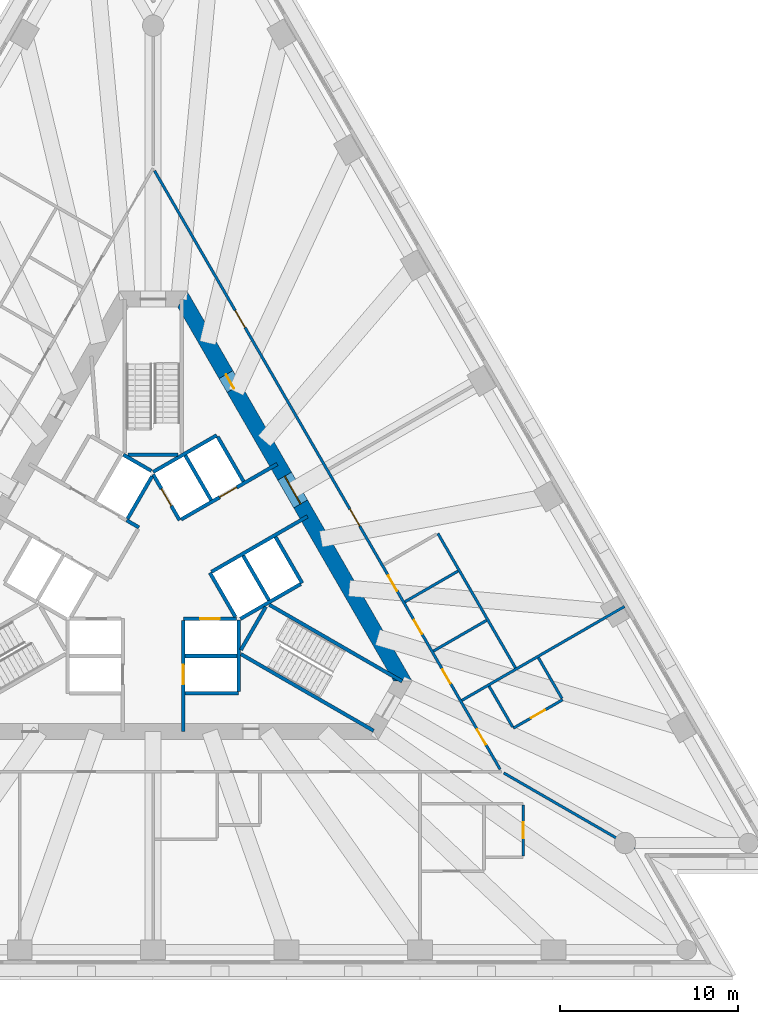
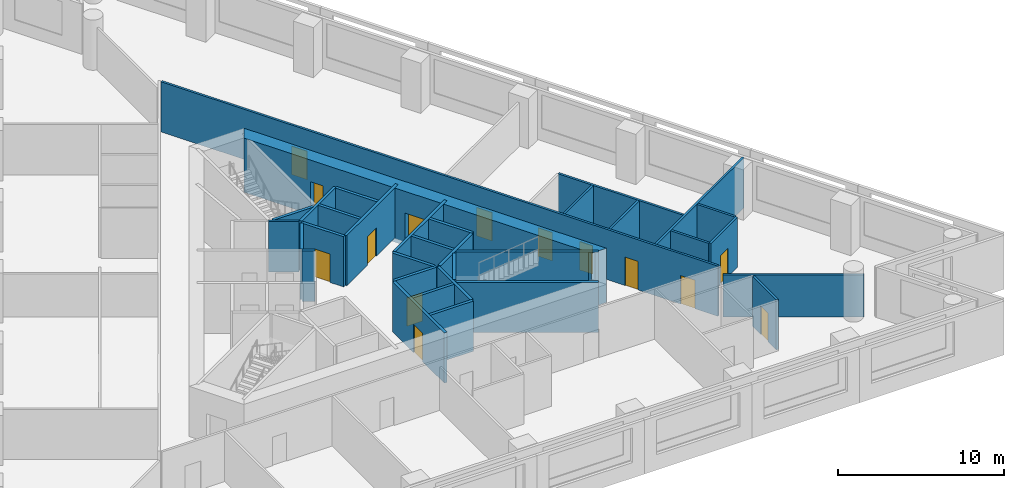
# One storey, part 5 of 9: 33 walls, 14 doors, 14 openings.
"""IFC4 building model written with IfcOpenShell, lengths in metres."""

import ifcopenshell
import ifcopenshell.guid

model = None  # the IFC model being written
_history = None  # IfcOwnerHistory: only IFC2X3 demands one
_inside = {}  # id of a spatial element -> (the spatial element, [elements in it])
_under = {}  # id of a project, library or spatial element -> (it, [spatial elements below it])
_declared = {}  # id of a project -> (the project, [libraries it declares])
_typed = {}  # id of a type object -> (the type object, [elements of that type])
_made_of = {}  # id of a material, layer set ... -> (it, [elements and type objects made of it])


def new_model(schema):
    """Start an empty IFC model of exactly this schema.

    Asked for "IFC4X3", IfcOpenShell would pick the latest addendum, in which some entities
    have other attributes; the version numbers below select the first issue.
    IFC2X3 requires an IfcOwnerHistory on every rooted entity: one is made here for all.
    """
    global model, _history
    if schema == "IFC4X3":
        model = ifcopenshell.file(schema_version=(4, 3, 0, 0))
    else:
        model = ifcopenshell.file(schema=schema)
    _inside.clear()
    _under.clear()
    _declared.clear()
    _typed.clear()
    _made_of.clear()
    _history = None
    if model.schema == "IFC2X3":
        org = make("IfcOrganization", Name="unknown")
        user = make(
            "IfcPersonAndOrganization",
            ThePerson=make("IfcPerson", FamilyName="unknown"),
            TheOrganization=org,
        )
        app = make(
            "IfcApplication",
            ApplicationDeveloper=org,
            Version="unknown",
            ApplicationFullName="unknown",
            ApplicationIdentifier="unknown",
        )
        _history = make(
            "IfcOwnerHistory",
            OwningUser=user,
            OwningApplication=app,
            ChangeAction="ADDED",
            CreationDate=0,
        )
    return model


def make(cls, **values):
    """One entity of the class cls with the attributes given. An attribute that is None is left unset."""
    return model.create_entity(
        cls, **{name: value for name, value in values.items() if value is not None}
    )


def rooted(cls, **values):
    """An entity with a GlobalId (a new one), such as an element, a storey or a relation."""
    return make(cls, GlobalId=ifcopenshell.guid.new(), OwnerHistory=_history, **values)


def si_unit(unit_type, name, prefix=None):
    """IfcSIUnit, for example si_unit("LENGTHUNIT", "METRE", prefix="MILLI")."""
    return make("IfcSIUnit", UnitType=unit_type, Prefix=prefix, Name=name)


def assignment(units):
    """IfcUnitAssignment: the units of a project."""
    return None if units is None else make("IfcUnitAssignment", Units=units)


def point(xyz):
    """IfcCartesianPoint."""
    return None if xyz is None else make("IfcCartesianPoint", Coordinates=xyz)


def direction(xyz):
    """IfcDirection."""
    return None if xyz is None else make("IfcDirection", DirectionRatios=xyz)


def frame(location, z_axis=None, x_axis=None):
    """IfcAxis2Placement3D, a coordinate frame: its origin and axes. An axis left out is left unset."""
    return make(
        "IfcAxis2Placement3D",
        Location=point(location),
        Axis=direction(z_axis),
        RefDirection=direction(x_axis),
    )


def frame_2d(location, x_axis=None):
    """IfcAxis2Placement2D, a coordinate frame in the plane: its origin and x axis."""
    return make(
        "IfcAxis2Placement2D", Location=point(location), RefDirection=direction(x_axis)
    )


def origin():
    """The frame at (0, 0, 0) with its axes left unset."""
    return frame((0.0, 0.0, 0.0))


def place(relative_to, where):
    """IfcLocalPlacement: puts the frame where relative to a parent placement (None: the world)."""
    return make(
        "IfcLocalPlacement", PlacementRelTo=relative_to, RelativePlacement=where
    )


def context(
    kind, dimensions, precision=None, world=None, true_north=None, identifier=None
):
    """IfcGeometricRepresentationContext, for example the 3D "Model" context."""
    return make(
        "IfcGeometricRepresentationContext",
        ContextIdentifier=identifier,
        ContextType=kind,
        CoordinateSpaceDimension=dimensions,
        Precision=precision,
        WorldCoordinateSystem=world,
        TrueNorth=true_north,
    )


def subcontext(parent, identifier, kind, view, scale=None):
    """IfcGeometricRepresentationSubContext, for example "Body" below "Model"."""
    return make(
        "IfcGeometricRepresentationSubContext",
        ContextIdentifier=identifier,
        ContextType=kind,
        ParentContext=parent,
        TargetScale=scale,
        TargetView=view,
    )


def project(units=None, contexts=None):
    """IfcProject with its units and contexts."""
    return rooted(
        "IfcProject",
        Name="project",
        RepresentationContexts=contexts,
        UnitsInContext=assignment(units),
    )


def spatial(cls, under=None, at=None, **own):
    """A site, building, storey or space (cls), placed at a placement, below another one or the project."""
    s = rooted(cls, ObjectPlacement=at, **own)
    if under is not None:
        _under.setdefault(under.id(), (under, []))[1].append(s)
    return s


def polyline(points):
    """IfcPolyline through the points."""
    return make("IfcPolyline", Points=[point(p) for p in points])


def profile(cls, at=None, kind="AREA", **sizes):
    """A parametric profile (cls). Its sizes go by their IFC names, for example OverallWidth=200.0."""
    return make(cls, ProfileType=kind, Position=at, **sizes)


def rectangle(**sizes):
    """IfcRectangleProfileDef."""
    return profile("IfcRectangleProfileDef", **sizes)


def outline(outer, holes=None, kind="AREA"):
    """IfcArbitraryClosedProfileDef: a profile drawn as a closed curve; with holes, ...WithVoids."""
    if holes is None:
        return make("IfcArbitraryClosedProfileDef", ProfileType=kind, OuterCurve=outer)
    return make(
        "IfcArbitraryProfileDefWithVoids",
        ProfileType=kind,
        OuterCurve=outer,
        InnerCurves=holes,
    )


def extrude(swept, where, along, depth):
    """IfcExtrudedAreaSolid: the profile swept, set in the frame where, extruded along a direction by depth."""
    return make(
        "IfcExtrudedAreaSolid",
        SweptArea=swept,
        Position=where,
        ExtrudedDirection=direction(along),
        Depth=depth,
    )


def shape(context_of_items, identifier, shape_type, items):
    """IfcShapeRepresentation: the items that make up one representation, for example the "Body"."""
    return make(
        "IfcShapeRepresentation",
        ContextOfItems=context_of_items,
        RepresentationIdentifier=identifier,
        RepresentationType=shape_type,
        Items=items,
    )


def material(Name=None, Category=None):
    """IfcMaterial."""
    return make("IfcMaterial", Name=Name, Category=Category)


def layer(
    of_material, thickness, ventilated=None, Name=None, Category=None, Priority=None
):
    """IfcMaterialLayer: one layer of a wall or slab, of a material (None: an air gap)."""
    return make(
        "IfcMaterialLayer",
        Material=of_material,
        LayerThickness=thickness,
        IsVentilated=ventilated,
        Name=Name,
        Category=Category,
        Priority=Priority,
    )


def layer_set(layers, Name=None):
    """IfcMaterialLayerSet."""
    return make("IfcMaterialLayerSet", MaterialLayers=layers, LayerSetName=Name)


def made_of(thing, what):
    """Note that an element or type object is made of a material, layer set ...; save() writes the relation."""
    if what is not None:
        _made_of.setdefault(what.id(), (what, []))[1].append(thing)
    return thing


def type_object(cls, material=None, **own):
    """A type object (cls), such as IfcWallType, which elements share."""
    return made_of(rooted(cls, **own), material)


def element(
    cls,
    number,
    at=None,
    inside=None,
    cuts=None,
    type_object=None,
    material=None,
    context=None,
    identifier="Body",
    shape_type=None,
    held_by="IfcProductDefinitionShape",
    body=None,
    shapes=None,
    **own,
):
    """One element of the class cls, such as IfcWall. Its Tag is "e" and its number.

    at: its placement. inside: the storey or other place that contains it. cuts: it is an
    opening in that element (IfcRelVoidsElement). A single representation is given by context,
    identifier, shape_type and body (its items); several are given by shapes. held_by: the class
    of the entity that holds the representations. save() writes the other relations.
    """
    e = rooted(cls, Tag="e%d" % number, ObjectPlacement=at, **own)
    if body is not None:
        shapes = [shape(context, identifier, shape_type, body)]
    if shapes is not None:
        e.Representation = make(held_by, Representations=shapes)
    if inside is not None:
        _inside.setdefault(inside.id(), (inside, []))[1].append(e)
    if cuts is not None:
        rooted(
            "IfcRelVoidsElement", RelatingBuildingElement=cuts, RelatedOpeningElement=e
        )
    if type_object is not None:
        _typed.setdefault(type_object.id(), (type_object, []))[1].append(e)
    return made_of(e, material)


def fill(opening, filler):
    """IfcRelFillsElement: the door or window that sits in an opening."""
    return rooted(
        "IfcRelFillsElement",
        RelatingOpeningElement=opening,
        RelatedBuildingElement=filler,
    )


def aggregate(whole, parts):
    """IfcRelAggregates: a whole, such as a stair, and the parts it consists of."""
    return rooted("IfcRelAggregates", RelatingObject=whole, RelatedObjects=parts)


def save(model, path):
    """Write the relations noted so far, then the file.

    IfcRelAggregates (storeys below a building ...), IfcRelContainedInSpatialStructure (elements
    in a storey), IfcRelDefinesByType, IfcRelAssociatesMaterial and IfcRelDeclares: one each for
    every whole, place, type object, material and project.
    """
    for whole, parts in _under.values():
        aggregate(whole, parts)
    for where, things in _inside.values():
        rooted(
            "IfcRelContainedInSpatialStructure",
            RelatedElements=things,
            RelatingStructure=where,
        )
    for kind, things in _typed.values():
        rooted("IfcRelDefinesByType", RelatedObjects=things, RelatingType=kind)
    for what, things in _made_of.values():
        rooted("IfcRelAssociatesMaterial", RelatedObjects=things, RelatingMaterial=what)
    for by, libraries in _declared.values():
        rooted("IfcRelDeclares", RelatingContext=by, RelatedDefinitions=libraries)
    model.write(path)


model = new_model("IFC4")

# Units and contexts
model_context = context("Model", 3, precision=1e-05, world=origin(), true_north=direction((0.0, 1.0)))
body_context = subcontext(model_context, "Body", "Model", "MODEL_VIEW")
ifc_project = project(units=[si_unit("LENGTHUNIT", "METRE"), si_unit("AREAUNIT", "SQUARE_METRE"), si_unit("VOLUMEUNIT", "CUBIC_METRE"), si_unit("PLANEANGLEUNIT", "RADIAN"), si_unit("MASSUNIT", "GRAM", prefix="KILO")], contexts=[model_context])

# Site, building, storey
site_placement = place(None, origin())
site = spatial("IfcSite", under=ifc_project, at=site_placement, CompositionType="ELEMENT")
building_placement = place(site_placement, origin())
building = spatial("IfcBuilding", under=site, at=building_placement, Name="Triada Interchange Tower", CompositionType="ELEMENT")
storey_placement = place(building_placement, frame((0.0, 0.0, 51.300048828125)))
storey = spatial("IfcBuildingStorey", under=building, at=storey_placement, Name="L10", CompositionType="ELEMENT", Elevation=51.300048828125)

# Walls
ifc_material_1 = material(Name="Concrete C30/37", Category="concrete")
ifc_layer_1 = layer(ifc_material_1, 0.199951171875)
ifc_layer_set_1 = layer_set([ifc_layer_1], Name="CORE WALL 200 EI 120")
wall_type_1 = type_object("IfcWallType", Name="CORE WALL 200 EI 120", PredefinedType="SOLIDWALL", material=ifc_layer_set_1)
wall_1_placement = place(storey_placement, frame((1.800048828125, -4.800048828125, 0.0), z_axis=(0.0, 0.0, 1.0), x_axis=(1.0, 0.0, 0.0)))
element("IfcWall", 1, at=wall_1_placement, inside=storey, type_object=wall_type_1, Name="Wall L09 40", PredefinedType="SOLIDWALL", context=body_context, shape_type="SweptSolid", body=[
    extrude(rectangle(XDim=2.89990234375, YDim=0.199951171875, at=frame_2d((1.449951171875, 0.0))), origin(), (0.0, 0.0, 1.0), 3.699951171875),
])
wall_2_placement = place(storey_placement, frame((1.800048828125, -6.89990234375, 0.0), z_axis=(0.0, 0.0, 1.0), x_axis=(1.0, 0.0, 0.0)))
element("IfcWall", 2, at=wall_2_placement, inside=storey, type_object=wall_type_1, Name="Wall L09 43", PredefinedType="SOLIDWALL", context=body_context, shape_type="SweptSolid", body=[
    extrude(rectangle(XDim=3.0, YDim=0.199951171875, at=frame_2d((1.5, 0.0))), origin(), (0.0, 0.0, 1.0), 3.699951171875),
])

# Wall, opening, door
wall_3_placement = place(storey_placement, frame((1.702880859375, -2.699951171875, 0.0), z_axis=(0.0, 0.0, 1.0), x_axis=(1.0, 0.0, 0.0)))
wall_3 = element("IfcWall", 3, at=wall_3_placement, inside=storey, type_object=wall_type_1, Name="Wall L09 46", PredefinedType="SOLIDWALL", context=body_context, shape_type="SweptSolid", body=[
    extrude(rectangle(XDim=2.97314453125, YDim=0.199951171875, at=frame_2d((1.486572265625, 0.0))), origin(), (0.0, 0.0, 1.0), 3.699951171875),
])
opening_1_placement = place(wall_3_placement, frame((0.93603515625, 0.0, 0.0)))
opening_1 = element("IfcOpeningElement", 4, at=opening_1_placement, cuts=wall_3, Name="Opening LD-LR1", PredefinedType="OPENING", context=body_context, shape_type="SweptSolid", body=[
    extrude(rectangle(XDim=1.10009765625, YDim=2.10009765625, at=frame_2d((0.550048828125, 1.050048828125))), frame((0.0, 0.10986328125, 0.0), z_axis=(0.0, -1.0, 0.0), x_axis=(1.0, 0.0, 0.0)), (0.0, 0.0, 1.0), 0.219970703125),
])
ifc_material_2 = material(Name="Steel S235 door leaf", Category="steel")
door_type_1 = type_object("IfcDoorType", Name="LIFT LANDING DOOR 1100 EI 120", OperationType="SLIDING_TO_LEFT", PredefinedType="DOOR", material=ifc_material_2)
door_1_placement = place(opening_1_placement, origin())
door_1 = element("IfcDoor", 5, at=door_1_placement, inside=storey, type_object=door_type_1, Name="LR1 landing door L10", OperationType="SLIDING_TO_LEFT", OverallHeight=2.10009765625, OverallWidth=1.10009765625, PredefinedType="DOOR", context=body_context, shape_type="SweptSolid", body=[
    extrude(rectangle(XDim=1.10009765625, YDim=2.10009765625, at=frame_2d((0.550048828125, 1.050048828125))), frame((0.0, 0.02490234375, 0.0), z_axis=(0.0, -1.0, 0.0), x_axis=(1.0, 0.0, 0.0)), (0.0, 0.0, 1.0), 0.050048828125),
])
fill(opening_1, door_1)

# Wall
wall_4_placement = place(storey_placement, frame((-0.001953125, 5.541015625, 0.0), z_axis=(0.0, 0.0, 1.0), x_axis=(0.86600155993, 0.500041296494, 0.0)))
element("IfcWall", 6, at=wall_4_placement, inside=storey, type_object=wall_type_1, Name="Wall L09 47", PredefinedType="SOLIDWALL", context=body_context, shape_type="SweptSolid", body=[
    extrude(rectangle(XDim=4.131591796875, YDim=0.199951171875, at=frame_2d((2.06591796875, 0.0))), origin(), (0.0, 0.0, 1.0), 3.699951171875),
])

# Wall, opening, door
wall_5_placement = place(storey_placement, frame((0.0, 5.39990234375, 0.0), z_axis=(0.0, 0.0, 1.0), x_axis=(0.500103862429, -0.865965430478, 0.0)))
wall_5 = element("IfcWall", 7, at=wall_5_placement, inside=storey, type_object=wall_type_1, Name="Wall L09 48", PredefinedType="SOLIDWALL", context=body_context, shape_type="SweptSolid", body=[
    extrude(rectangle(XDim=2.973388671875, YDim=0.199951171875, at=frame_2d((1.48681640625, 0.0))), origin(), (0.0, 0.0, 1.0), 3.699951171875),
])
opening_2_placement = place(wall_5_placement, frame((0.93701171875, 0.0, 0.0)))
opening_2 = element("IfcOpeningElement", 8, at=opening_2_placement, cuts=wall_5, Name="Opening LD-LR5", PredefinedType="OPENING", context=body_context, shape_type="SweptSolid", body=[
    extrude(rectangle(XDim=1.10009765625, YDim=2.10009765625, at=frame_2d((0.550048828125, 1.050048828125))), frame((0.0, 0.10986328125, 0.0), z_axis=(0.0, -1.0, 0.0), x_axis=(1.0, 0.0, 0.0)), (0.0, 0.0, 1.0), 0.219970703125),
])
door_2_placement = place(opening_2_placement, origin())
door_2 = element("IfcDoor", 9, at=door_2_placement, inside=storey, type_object=door_type_1, Name="LR5 landing door L10", OperationType="SLIDING_TO_LEFT", OverallHeight=2.10009765625, OverallWidth=1.10009765625, PredefinedType="DOOR", context=body_context, shape_type="SweptSolid", body=[
    extrude(rectangle(XDim=1.10009765625, YDim=2.10009765625, at=frame_2d((0.550048828125, 1.050048828125))), frame((0.0, 0.02490234375, 0.0), z_axis=(0.0, -1.0, 0.0), x_axis=(1.0, 0.0, 0.0)), (0.0, 0.0, 1.0), 0.050048828125),
])
fill(opening_2, door_2)

# Wall
wall_6_placement = place(storey_placement, frame((3.18994140625, -0.125, 0.0), z_axis=(0.0, 0.0, 1.0), x_axis=(0.499988658015, -0.866031951983, 0.0)))
element("IfcWall", 10, at=wall_6_placement, inside=storey, type_object=wall_type_1, Name="Wall L09 49", PredefinedType="SOLIDWALL", context=body_context, shape_type="SweptSolid", body=[
    extrude(rectangle(XDim=2.85791015625, YDim=0.199951171875, at=frame_2d((1.428955078125, 0.0))), origin(), (0.0, 0.0, 1.0), 3.699951171875),
])

# Wall, opening, door
wall_7_placement = place(storey_placement, frame((1.577880859375, 2.8740234375, 0.0), z_axis=(0.0, 0.0, 1.0), x_axis=(0.866031483044, 0.499989470266, 0.0)))
wall_7 = element("IfcWall", 11, at=wall_7_placement, inside=storey, type_object=wall_type_1, Name="Wall L09 50", PredefinedType="SOLIDWALL", context=body_context, shape_type="SweptSolid", body=[
    extrude(rectangle(XDim=6.226318359375, YDim=0.199951171875, at=frame_2d((3.11328125, 0.0))), origin(), (0.0, 0.0, 1.0), 3.699951171875),
])
opening_3_placement = place(wall_7_placement, frame((2.49609375, 0.0, 0.0)))
opening_3 = element("IfcOpeningElement", 12, at=opening_3_placement, cuts=wall_7, Name="Opening LD-LR6", PredefinedType="OPENING", context=body_context, shape_type="SweptSolid", body=[
    extrude(rectangle(XDim=1.10009765625, YDim=2.10009765625, at=frame_2d((0.550048828125, 1.050048828125))), frame((0.0, 0.10986328125, 0.0), z_axis=(0.0, -1.0, 0.0), x_axis=(1.0, 0.0, 0.0)), (0.0, 0.0, 1.0), 0.219970703125),
])
door_3_placement = place(opening_3_placement, origin())
door_3 = element("IfcDoor", 13, at=door_3_placement, inside=storey, type_object=door_type_1, Name="LR6 landing door L10", OperationType="SLIDING_TO_LEFT", OverallHeight=2.10009765625, OverallWidth=1.10009765625, PredefinedType="DOOR", context=body_context, shape_type="SweptSolid", body=[
    extrude(rectangle(XDim=1.10009765625, YDim=2.10009765625, at=frame_2d((0.550048828125, 1.050048828125))), frame((0.0, 0.02490234375, 0.0), z_axis=(0.0, -1.0, 0.0), x_axis=(1.0, 0.0, 0.0)), (0.0, 0.0, 1.0), 0.050048828125),
])
fill(opening_3, door_3)

wall_8_placement = place(storey_placement, frame((1.699951171875, -9.030029296875, 0.0), z_axis=(0.0, 0.0, 1.0), x_axis=(0.0, 1.0, 0.0)))
wall_8 = element("IfcWall", 14, at=wall_8_placement, inside=storey, type_object=wall_type_1, Name="Wall L09 51", PredefinedType="SOLIDWALL", context=body_context, shape_type="SweptSolid", body=[
    extrude(rectangle(XDim=6.22705078125, YDim=0.199951171875, at=frame_2d((3.113525390625, 0.0))), origin(), (0.0, 0.0, 1.0), 3.699951171875),
])
opening_4_placement = place(wall_8_placement, frame((2.6298828125, 0.0, 0.0)))
opening_4 = element("IfcOpeningElement", 15, at=opening_4_placement, cuts=wall_8, Name="Opening LD-LR2", PredefinedType="OPENING", context=body_context, shape_type="SweptSolid", body=[
    extrude(rectangle(XDim=1.10009765625, YDim=2.10009765625, at=frame_2d((0.550048828125, 1.050048828125))), frame((0.0, 0.10986328125, 0.0), z_axis=(0.0, -1.0, 0.0), x_axis=(1.0, 0.0, 0.0)), (0.0, 0.0, 1.0), 0.219970703125),
])
door_4_placement = place(opening_4_placement, origin())
door_4 = element("IfcDoor", 16, at=door_4_placement, inside=storey, type_object=door_type_1, Name="LR2 landing door L10", OperationType="SLIDING_TO_LEFT", OverallHeight=2.10009765625, OverallWidth=1.10009765625, PredefinedType="DOOR", context=body_context, shape_type="SweptSolid", body=[
    extrude(rectangle(XDim=1.10009765625, YDim=2.10009765625, at=frame_2d((0.550048828125, 1.050048828125))), frame((0.0, 0.02490234375, 0.0), z_axis=(0.0, -1.0, 0.0), x_axis=(1.0, 0.0, 0.0)), (0.0, 0.0, 1.0), 0.050048828125),
])
fill(opening_4, door_4)

# Walls
wall_9_placement = place(storey_placement, frame((4.800048828125, -6.800048828125, 0.0), z_axis=(0.0, 0.0, 1.0), x_axis=(0.0, 1.0, 0.0)))
element("IfcWall", 17, at=wall_9_placement, inside=storey, type_object=wall_type_1, Name="Wall L09 52", PredefinedType="SOLIDWALL", context=body_context, shape_type="SweptSolid", body=[
    extrude(rectangle(XDim=4.029052734375, YDim=0.199951171875, at=frame_2d((2.0146484375, 0.0))), origin(), (0.0, 0.0, 1.0), 3.699951171875),
])
wall_10_placement = place(storey_placement, frame((3.278076171875, -0.071044921875, 0.0), z_axis=(0.0, 0.0, 1.0), x_axis=(0.865953757655, 0.500124074208, 0.0)))
element("IfcWall", 18, at=wall_10_placement, inside=storey, type_object=wall_type_1, Name="Wall L09 53", PredefinedType="SOLIDWALL", context=body_context, shape_type="SweptSolid", body=[
    extrude(rectangle(XDim=6.2265625, YDim=0.199951171875, at=frame_2d((3.11328125, 0.0))), origin(), (0.0, 0.0, 1.0), 3.699951171875),
])
wall_11_placement = place(storey_placement, frame((3.6259765625, 7.52001953125, 0.0), z_axis=(0.0, 0.0, 1.0), x_axis=(0.500060147554, -0.865990674793, 0.0)))
element("IfcWall", 19, at=wall_11_placement, inside=storey, type_object=wall_type_1, Name="Wall L09 54", PredefinedType="SOLIDWALL", context=body_context, shape_type="SweptSolid", body=[
    extrude(rectangle(XDim=2.899658203125, YDim=0.199951171875, at=frame_2d((1.44970703125, 0.0))), origin(), (0.0, 0.0, 1.0), 3.699951171875),
])
wall_12_placement = place(storey_placement, frame((6.8759765625, 1.89111328125, 0.0), z_axis=(0.0, 0.0, 1.0), x_axis=(0.499990139034, -0.866031096941, 0.0)))
element("IfcWall", 20, at=wall_12_placement, inside=storey, type_object=wall_type_1, Name="Wall L09 55", PredefinedType="SOLIDWALL", context=body_context, shape_type="SweptSolid", body=[
    extrude(rectangle(XDim=3.0, YDim=0.199951171875, at=frame_2d((1.5, 0.0))), origin(), (0.0, 0.0, 1.0), 3.699951171875),
])
for number, where, z_axis, x_axis, name in (
    (21, (1.806884765625, 6.469970703125, 0.0), (0.0, 0.0, 1.0), (0.50012328804, -0.865954211699, 0.0), "Wall L09 56"),
    (22, (5.056884765625, 0.841064453125, 0.0), (0.0, 0.0, 1.0), (0.50012328804, -0.865954211699, 0.0), "Wall L09 57"),
):
    element("IfcWall", number, at=place(storey_placement, frame(where, z_axis=z_axis, x_axis=x_axis)), inside=storey, type_object=wall_type_1, Name=name, PredefinedType="SOLIDWALL", context=body_context, shape_type="SweptSolid", body=[
        extrude(rectangle(XDim=2.899658203125, YDim=0.199951171875, at=frame_2d((1.44970703125, 0.0))), origin(), (0.0, 0.0, 1.0), 3.699951171875),
    ])
wall_13_placement = place(storey_placement, frame((4.89990234375, -2.714111328125, 0.0), z_axis=(0.0, 0.0, 1.0), x_axis=(0.865992350556, 0.500057245502, 0.0)))
element("IfcWall", 23, at=wall_13_placement, inside=storey, type_object=wall_type_1, Name="Wall L09 58", PredefinedType="SOLIDWALL", context=body_context, shape_type="SweptSolid", body=[
    extrude(rectangle(XDim=3.91357421875, YDim=0.199951171875, at=frame_2d((1.956787109375, 0.0))), origin(), (0.0, 0.0, 1.0), 3.699951171875),
])
ifc_layer_2 = layer(ifc_material_1, 0.199951171875)
ifc_layer_set_2 = layer_set([ifc_layer_2], Name="CORE WALL 200 EI 180")
wall_type_2 = type_object("IfcWallType", Name="CORE WALL 200 EI 180", PredefinedType="SOLIDWALL", material=ifc_layer_set_2)
wall_14_placement = place(storey_placement, frame((-1.488037109375, 2.822021484375, 0.0), z_axis=(0.0, 0.0, 1.0), x_axis=(0.866236612152, -0.499633997809, 0.0)))
element("IfcWall", 24, at=wall_14_placement, inside=storey, type_object=wall_type_2, Name="Wall L09 62", PredefinedType="SOLIDWALL", context=body_context, shape_type="SweptSolid", body=[
    extrude(rectangle(XDim=0.79638671875, YDim=0.199951171875, at=frame_2d((0.398193359375, 0.0))), origin(), (0.0, 0.0, 1.0), 3.699951171875),
])
wall_15_placement = place(storey_placement, frame((-1.669921875, 6.507080078125, 0.0), z_axis=(0.0, 0.0, 1.0), x_axis=(0.865941441609, -0.500145398563, 0.0)))
element("IfcWall", 25, at=wall_15_placement, inside=storey, type_object=wall_type_2, Name="Shaft wall FF2 L09 72", PredefinedType="SOLIDWALL", context=body_context, shape_type="SweptSolid", body=[
    extrude(rectangle(XDim=1.8154296875, YDim=0.199951171875, at=frame_2d((0.90771484375, 0.0))), origin(), (0.0, 0.0, 1.0), 3.699951171875),
])
wall_16_placement = place(storey_placement, frame((-1.43798828125, 2.908935546875, 0.0), z_axis=(0.0, 0.0, 1.0), x_axis=(0.499829630636, 0.866123744241, 0.0)))
element("IfcWall", 26, at=wall_16_placement, inside=storey, type_object=wall_type_2, Name="Shaft wall FF2 L09 73", PredefinedType="SOLIDWALL", context=body_context, shape_type="SweptSolid", body=[
    extrude(rectangle(XDim=2.7607421875, YDim=0.199951171875, at=frame_2d((1.38037109375, 0.0))), origin(), (0.0, 0.0, 1.0), 3.699951171875),
])
ifc_layer_3 = layer(ifc_material_1, 0.199951171875)
ifc_layer_set_3 = layer_set([ifc_layer_3], Name="CORE WALL 200 REI 240")
wall_type_3 = type_object("IfcWallType", Name="CORE WALL 200 REI 240", PredefinedType="SOLIDWALL", material=ifc_layer_set_3)
wall_17_placement = place(storey_placement, frame((-1.39990234375, 6.5, 0.0), z_axis=(0.0, 0.0, 1.0), x_axis=(1.0, 0.0, 0.0)))
element("IfcWall", 27, at=wall_17_placement, inside=storey, type_object=wall_type_3, Name="Wall L09 79", PredefinedType="SOLIDWALL", context=body_context, shape_type="SweptSolid", body=[
    extrude(rectangle(XDim=2.7998046875, YDim=0.199951171875, at=frame_2d((1.39990234375, 0.0))), origin(), (0.0, 0.0, 1.0), 3.699951171875),
])
wall_18_placement = place(storey_placement, frame((4.928955078125, -4.693115234375, 0.0), z_axis=(0.0, 0.0, 1.0), x_axis=(0.866010975815, -0.500024989144, 0.0)))
element("IfcWall", 28, at=wall_18_placement, inside=storey, type_object=wall_type_3, Name="Wall L09 81", PredefinedType="SOLIDWALL", context=body_context, shape_type="SweptSolid", body=[
    extrude(rectangle(XDim=8.615234375, YDim=0.199951171875, at=frame_2d((4.3076171875, 0.0))), origin(), (0.0, 0.0, 1.0), 3.699951171875),
])
wall_19_placement = place(storey_placement, frame((4.928955078125, -4.4619140625, 0.0), z_axis=(0.0, 0.0, 1.0), x_axis=(0.500200581029, 0.865909567298, 0.0)))
element("IfcWall", 29, at=wall_19_placement, inside=storey, type_object=wall_type_3, Name="Wall L09 82", PredefinedType="SOLIDWALL", context=body_context, shape_type="SweptSolid", body=[
    extrude(rectangle(XDim=2.799072265625, YDim=0.199951171875, at=frame_2d((1.3994140625, 0.0))), origin(), (0.0, 0.0, 1.0), 3.699951171875),
])
wall_20_placement = place(storey_placement, frame((6.529052734375, -1.922119140625, 0.0), z_axis=(0.0, 0.0, 1.0), x_axis=(0.866060059011, -0.499939970583, 0.0)))
element("IfcWall", 30, at=wall_20_placement, inside=storey, type_object=wall_type_3, Name="Wall L09 83", PredefinedType="SOLIDWALL", context=body_context, shape_type="SweptSolid", body=[
    extrude(rectangle(XDim=8.61474609375, YDim=0.199951171875, at=frame_2d((4.307373046875, 0.0))), origin(), (0.0, 0.0, 1.0), 3.699951171875),
])

# Wall, openings, doors
ifc_material_3 = material(Name="Concrete C70/85", Category="concrete")
ifc_layer_4 = layer(ifc_material_3, 0.89990234375)
ifc_layer_set_4 = layer_set([ifc_layer_4], Name="Core wall A 900")
wall_type_4 = type_object("IfcWallType", Name="Core wall A 900", PredefinedType="SHEAR", material=ifc_layer_set_4)
wall_21_placement = place(storey_placement, frame((14.030029296875, -6.199951171875, -0.300048828125), z_axis=(0.0, 0.0, 1.0), x_axis=(-0.500026485275, 0.866010111964, 0.0)))
wall_21 = element("IfcWall", 31, at=wall_21_placement, inside=storey, type_object=wall_type_4, Name="Core wall WA06 L10", PredefinedType="SHEAR", context=body_context, shape_type="SweptSolid", body=[
    extrude(outline(polyline([(-0.260009765625, -0.448974609375), (1.685302734375, -0.448974609375), (3.63037109375, -0.44921875), (5.57568359375, -0.44921875), (7.52099609375, -0.44921875), (9.466064453125, -0.449462890625), (11.411376953125, -0.449462890625), (13.356689453125, -0.449462890625), (15.302001953125, -0.449462890625), (17.2470703125, -0.44970703125), (19.1923828125, -0.44970703125), (21.1376953125, -0.44970703125), (23.082763671875, -0.449951171875), (25.028076171875, -0.449951171875), (24.509033203125, 0.448974609375), (22.643798828125, 0.448974609375), (20.7783203125, 0.44921875), (18.9130859375, 0.44921875), (17.0478515625, 0.44921875), (15.182373046875, 0.449462890625), (13.317138671875, 0.449462890625), (11.451904296875, 0.449462890625), (9.586669921875, 0.449462890625), (7.72119140625, 0.44970703125), (5.85595703125, 0.44970703125), (3.99072265625, 0.44970703125), (2.125244140625, 0.449951171875), (0.260009765625, 0.449951171875), (-0.260009765625, -0.448974609375)])), origin(), (0.0, 0.0, 1.0), 4.0),
])
opening_5_placement = place(wall_21_placement, frame((11.48388671875, 0.0, 0.300048828125)))
opening_5 = element("IfcOpeningElement", 32, at=opening_5_placement, cuts=wall_21, Name="Opening D09-35", PredefinedType="OPENING", context=body_context, shape_type="SweptSolid", body=[
    extrude(rectangle(XDim=1.800048828125, YDim=2.10009765625, at=frame_2d((0.89990234375, 1.050048828125))), frame((0.0, 0.4599609375, 0.0), z_axis=(0.0, -1.0, 0.0), x_axis=(1.0, 0.0, 0.0)), (0.0, 0.0, 1.0), 0.919921875),
])
opening_6_placement = place(wall_21_placement, frame((18.97607421875, 0.0, 0.300048828125)))
opening_6 = element("IfcOpeningElement", 33, at=opening_6_placement, cuts=wall_21, Name="Opening D09-43", PredefinedType="OPENING", context=body_context, shape_type="SweptSolid", body=[
    extrude(rectangle(XDim=0.89990234375, YDim=2.10009765625, at=frame_2d((0.449951171875, 1.050048828125))), frame((0.0, 0.4599609375, 0.0), z_axis=(0.0, -1.0, 0.0), x_axis=(1.0, 0.0, 0.0)), (0.0, 0.0, 1.0), 0.919921875),
])
door_type_2 = type_object("IfcDoorType", Name="LOBBY DOOR 1800 EI2 90-C5S200", OperationType="DOUBLE_DOOR_SINGLE_SWING", PredefinedType="DOOR", material=ifc_material_2)
door_5_placement = place(opening_5_placement, origin())
door_5 = element("IfcDoor", 34, at=door_5_placement, inside=storey, type_object=door_type_2, Name="Door D09-35 L10", OperationType="DOUBLE_DOOR_SINGLE_SWING", OverallHeight=2.10009765625, OverallWidth=1.800048828125, PredefinedType="DOOR", context=body_context, shape_type="SweptSolid", body=[
    extrude(rectangle(XDim=1.800048828125, YDim=2.10009765625, at=frame_2d((0.89990234375, 1.050048828125))), frame((0.0, 0.02490234375, 0.0), z_axis=(0.0, -1.0, 0.0), x_axis=(1.0, 0.0, 0.0)), (0.0, 0.0, 1.0), 0.050048828125),
])
fill(opening_5, door_5)
door_type_3 = type_object("IfcDoorType", Name="RISER ACCESS DOOR 900 EI2 45-C5S200", OperationType="NOTDEFINED", PredefinedType="DOOR", material=ifc_material_2)
door_6_placement = place(opening_6_placement, origin())
door_6 = element("IfcDoor", 35, at=door_6_placement, inside=storey, type_object=door_type_3, Name="Door D09-43 L10", OperationType="SINGLE_SWING_LEFT", OverallHeight=2.10009765625, OverallWidth=0.89990234375, PredefinedType="DOOR", context=body_context, shape_type="SweptSolid", body=[
    extrude(rectangle(XDim=0.89990234375, YDim=2.10009765625, at=frame_2d((0.449951171875, 1.050048828125))), frame((0.0, 0.02490234375, 0.0), z_axis=(0.0, -1.0, 0.0), x_axis=(1.0, 0.0, 0.0)), (0.0, 0.0, 1.0), 0.050048828125),
])
fill(opening_6, door_6)

# Wall
ifc_material_4 = material(Name="Gypsum board partition")
ifc_layer_5 = layer(ifc_material_4, 0.14990234375)
ifc_layer_set_5 = layer_set([ifc_layer_5], Name="PARTITION 150 EI 180")
wall_type_5 = type_object("IfcWallType", Name="PARTITION 150 EI 180", PredefinedType="PARTITIONING", material=ifc_layer_set_5)
wall_22_placement = place(storey_placement, frame((19.701904296875, -11.3740234375, 0.0), z_axis=(0.0, 0.0, 1.0), x_axis=(0.865962467537, -0.500108992938, 0.0)))
element("IfcWall", 36, at=wall_22_placement, inside=storey, type_object=wall_type_5, Name="Wall L09 7", PredefinedType="PARTITIONING", context=body_context, shape_type="SweptSolid", body=[
    extrude(rectangle(XDim=8.4921875, YDim=0.14990234375, at=frame_2d((4.24609375, 0.0))), origin(), (0.0, 0.0, 1.0), 3.099853515625),
])

# Wall, openings, doors
wall_23_placement = place(storey_placement, frame((0.074951171875, 22.469970703125, 0.0), z_axis=(0.0, 0.0, 1.0), x_axis=(0.500002280369, -0.866024087209, 0.0)))
wall_23 = element("IfcWall", 37, at=wall_23_placement, inside=storey, type_object=wall_type_5, Name="Wall L09 19", PredefinedType="PARTITIONING", context=body_context, shape_type="SweptSolid", body=[
    extrude(rectangle(XDim=38.843994140625, YDim=0.14990234375, at=frame_2d((19.421875, 0.0))), origin(), (0.0, 0.0, 1.0), 3.699951171875),
])
opening_7_placement = place(wall_23_placement, frame((36.243896484375, 0.0, 0.0)))
opening_7 = element("IfcOpeningElement", 38, at=opening_7_placement, cuts=wall_23, Name="Opening D09-20", PredefinedType="OPENING", context=body_context, shape_type="SweptSolid", body=[
    extrude(rectangle(XDim=1.0, YDim=2.10009765625, at=frame_2d((0.5, 1.050048828125))), frame((0.0, 0.0849609375, 0.0), z_axis=(0.0, -1.0, 0.0), x_axis=(1.0, 0.0, 0.0)), (0.0, 0.0, 1.0), 0.169921875),
])
opening_8_placement = place(wall_23_placement, frame((21.962890625, 0.0, 0.0)))
opening_8 = element("IfcOpeningElement", 39, at=opening_8_placement, cuts=wall_23, Name="Opening D09-22", PredefinedType="OPENING", context=body_context, shape_type="SweptSolid", body=[
    extrude(rectangle(XDim=1.10009765625, YDim=2.10009765625, at=frame_2d((0.550048828125, 1.050048828125))), frame((0.0, 0.0849609375, 0.0), z_axis=(0.0, -1.0, 0.0), x_axis=(1.0, 0.0, 0.0)), (0.0, 0.0, 1.0), 0.169921875),
])
opening_9_placement = place(wall_23_placement, frame((32.363037109375, 0.0, 0.0)))
opening_9 = element("IfcOpeningElement", 40, at=opening_9_placement, cuts=wall_23, Name="Opening D09-23", PredefinedType="OPENING", context=body_context, shape_type="SweptSolid", body=[
    extrude(rectangle(XDim=0.89990234375, YDim=2.10009765625, at=frame_2d((0.449951171875, 1.050048828125))), frame((0.0, 0.0849609375, 0.0), z_axis=(0.0, -1.0, 0.0), x_axis=(1.0, 0.0, 0.0)), (0.0, 0.0, 1.0), 0.169921875),
])
opening_10_placement = place(wall_23_placement, frame((29.1630859375, 0.0, 0.0)))
opening_10 = element("IfcOpeningElement", 41, at=opening_10_placement, cuts=wall_23, Name="Opening D09-24", PredefinedType="OPENING", context=body_context, shape_type="SweptSolid", body=[
    extrude(rectangle(XDim=0.89990234375, YDim=2.10009765625, at=frame_2d((0.449951171875, 1.050048828125))), frame((0.0, 0.0849609375, 0.0), z_axis=(0.0, -1.0, 0.0), x_axis=(1.0, 0.0, 0.0)), (0.0, 0.0, 1.0), 0.169921875),
])
opening_11_placement = place(wall_23_placement, frame((26.262939453125, 0.0, 0.0)))
opening_11 = element("IfcOpeningElement", 42, at=opening_11_placement, cuts=wall_23, Name="Opening D09-25", PredefinedType="OPENING", context=body_context, shape_type="SweptSolid", body=[
    extrude(rectangle(XDim=1.0, YDim=2.10009765625, at=frame_2d((0.5, 1.050048828125))), frame((0.0, 0.0849609375, 0.0), z_axis=(0.0, -1.0, 0.0), x_axis=(1.0, 0.0, 0.0)), (0.0, 0.0, 1.0), 0.169921875),
])
opening_12_placement = place(wall_23_placement, frame((9.071044921875, 0.0, 0.0)))
opening_12 = element("IfcOpeningElement", 43, at=opening_12_placement, cuts=wall_23, Name="Opening D09-26", PredefinedType="OPENING", context=body_context, shape_type="SweptSolid", body=[
    extrude(rectangle(XDim=1.10009765625, YDim=2.10009765625, at=frame_2d((0.550048828125, 1.050048828125))), frame((0.0, 0.0849609375, 0.0), z_axis=(0.0, -1.0, 0.0), x_axis=(1.0, 0.0, 0.0)), (0.0, 0.0, 1.0), 0.169921875),
])
door_type_4 = type_object("IfcDoorType", Name="ROOM DOOR 1000 EI2 90-C5S200", OperationType="NOTDEFINED", PredefinedType="DOOR", material=ifc_material_2)
door_7_placement = place(opening_7_placement, origin())
door_7 = element("IfcDoor", 44, at=door_7_placement, inside=storey, type_object=door_type_4, Name="Door D09-20 L10", OperationType="SINGLE_SWING_RIGHT", OverallHeight=2.10009765625, OverallWidth=1.0, PredefinedType="DOOR", context=body_context, shape_type="SweptSolid", body=[
    extrude(rectangle(XDim=1.0, YDim=2.10009765625, at=frame_2d((0.5, 1.050048828125))), frame((0.0, 0.02490234375, 0.0), z_axis=(0.0, -1.0, 0.0), x_axis=(1.0, 0.0, 0.0)), (0.0, 0.0, 1.0), 0.050048828125),
])
fill(opening_7, door_7)
door_8_placement = place(opening_11_placement, origin())
door_8 = element("IfcDoor", 45, at=door_8_placement, inside=storey, type_object=door_type_4, Name="Door D09-25 L10", OperationType="SINGLE_SWING_RIGHT", OverallHeight=2.10009765625, OverallWidth=1.0, PredefinedType="DOOR", context=body_context, shape_type="SweptSolid", body=[
    extrude(rectangle(XDim=1.0, YDim=2.10009765625, at=frame_2d((0.5, 1.050048828125))), frame((0.0, 0.02490234375, 0.0), z_axis=(0.0, -1.0, 0.0), x_axis=(1.0, 0.0, 0.0)), (0.0, 0.0, 1.0), 0.050048828125),
])
fill(opening_11, door_8)
door_type_5 = type_object("IfcDoorType", Name="ROOM DOOR 900 EI2 90-C5S200", OperationType="NOTDEFINED", PredefinedType="DOOR", material=ifc_material_2)
door_9_placement = place(opening_9_placement, origin())
door_9 = element("IfcDoor", 46, at=door_9_placement, inside=storey, type_object=door_type_5, Name="Door D09-23 L10", OperationType="SINGLE_SWING_RIGHT", OverallHeight=2.10009765625, OverallWidth=0.89990234375, PredefinedType="DOOR", context=body_context, shape_type="SweptSolid", body=[
    extrude(rectangle(XDim=0.89990234375, YDim=2.10009765625, at=frame_2d((0.449951171875, 1.050048828125))), frame((0.0, 0.02490234375, 0.0), z_axis=(0.0, -1.0, 0.0), x_axis=(1.0, 0.0, 0.0)), (0.0, 0.0, 1.0), 0.050048828125),
])
fill(opening_9, door_9)
door_10_placement = place(opening_10_placement, origin())
door_10 = element("IfcDoor", 47, at=door_10_placement, inside=storey, type_object=door_type_5, Name="Door D09-24 L10", OperationType="SINGLE_SWING_RIGHT", OverallHeight=2.10009765625, OverallWidth=0.89990234375, PredefinedType="DOOR", context=body_context, shape_type="SweptSolid", body=[
    extrude(rectangle(XDim=0.89990234375, YDim=2.10009765625, at=frame_2d((0.449951171875, 1.050048828125))), frame((0.0, 0.02490234375, 0.0), z_axis=(0.0, -1.0, 0.0), x_axis=(1.0, 0.0, 0.0)), (0.0, 0.0, 1.0), 0.050048828125),
])
fill(opening_10, door_10)
door_type_6 = type_object("IfcDoorType", Name="TENANCY ENTRANCE DOOR 1100 EI2 90-C5S200", OperationType="NOTDEFINED", PredefinedType="DOOR", material=ifc_material_2)
door_11_placement = place(opening_8_placement, origin())
door_11 = element("IfcDoor", 48, at=door_11_placement, inside=storey, type_object=door_type_6, Name="Door D09-22 L10", OperationType="SINGLE_SWING_RIGHT", OverallHeight=2.10009765625, OverallWidth=1.10009765625, PredefinedType="DOOR", context=body_context, shape_type="SweptSolid", body=[
    extrude(rectangle(XDim=1.10009765625, YDim=2.10009765625, at=frame_2d((0.550048828125, 1.050048828125))), frame((0.0, 0.02490234375, 0.0), z_axis=(0.0, -1.0, 0.0), x_axis=(1.0, 0.0, 0.0)), (0.0, 0.0, 1.0), 0.050048828125),
])
fill(opening_8, door_11)
door_12_placement = place(opening_12_placement, origin())
door_12 = element("IfcDoor", 49, at=door_12_placement, inside=storey, type_object=door_type_6, Name="Door D09-26 L10", OperationType="SINGLE_SWING_LEFT", OverallHeight=2.10009765625, OverallWidth=1.10009765625, PredefinedType="DOOR", context=body_context, shape_type="SweptSolid", body=[
    extrude(rectangle(XDim=1.10009765625, YDim=2.10009765625, at=frame_2d((0.550048828125, 1.050048828125))), frame((0.0, 0.02490234375, 0.0), z_axis=(0.0, -1.0, 0.0), x_axis=(1.0, 0.0, 0.0)), (0.0, 0.0, 1.0), 0.050048828125),
])
fill(opening_12, door_12)

# Walls
wall_24_placement = place(storey_placement, frame((15.9990234375, 2.087890625, 0.0), z_axis=(0.0, 0.0, 1.0), x_axis=(0.500054279689, -0.865994063124, 0.0)))
element("IfcWall", 50, at=wall_24_placement, inside=storey, type_object=wall_type_5, Name="Wall L09 22", PredefinedType="PARTITIONING", context=body_context, shape_type="SweptSolid", body=[
    extrude(rectangle(XDim=8.72509765625, YDim=0.14990234375, at=frame_2d((4.362548828125, 0.0))), origin(), (0.0, 0.0, 1.0), 3.699951171875),
])
wall_25_placement = place(storey_placement, frame((14.14697265625, -1.7529296875, 0.0), z_axis=(0.0, 0.0, 1.0), x_axis=(0.865991092016, 0.500059425018, 0.0)))
element("IfcWall", 51, at=wall_25_placement, inside=storey, type_object=wall_type_5, Name="Wall L09 24", PredefinedType="PARTITIONING", context=body_context, shape_type="SweptSolid", body=[
    extrude(rectangle(XDim=3.44921875, YDim=0.14990234375, at=frame_2d((1.724609375, 0.0))), origin(), (0.0, 0.0, 1.0), 3.699951171875),
])
wall_26_placement = place(storey_placement, frame((15.7470703125, -4.52392578125, 0.0), z_axis=(0.0, 0.0, 1.0), x_axis=(0.865973391227, 0.500090077572, 0.0)))
element("IfcWall", 52, at=wall_26_placement, inside=storey, type_object=wall_type_5, Name="Wall L09 26", PredefinedType="PARTITIONING", context=body_context, shape_type="SweptSolid", body=[
    extrude(rectangle(XDim=3.448974609375, YDim=0.14990234375, at=frame_2d((1.724609375, 0.0))), origin(), (0.0, 0.0, 1.0), 3.699951171875),
])
wall_27_placement = place(storey_placement, frame((17.346923828125, -7.294921875, 0.0), z_axis=(0.0, 0.0, 1.0), x_axis=(0.866027613664, 0.499996172356, 0.0)))
element("IfcWall", 53, at=wall_27_placement, inside=storey, type_object=wall_type_5, Name="Wall L09 27", PredefinedType="PARTITIONING", context=body_context, shape_type="SweptSolid", body=[
    extrude(rectangle(XDim=10.5517578125, YDim=0.14990234375, at=frame_2d((5.27587890625, 0.0))), origin(), (0.0, 0.0, 1.0), 3.699951171875),
])

# Wall, opening, door
ifc_layer_6 = layer(ifc_material_4, 0.14990234375)
ifc_layer_set_6 = layer_set([ifc_layer_6], Name="PARTITION 150 EI 90")
wall_type_6 = type_object("IfcWallType", Name="PARTITION 150 EI 90", PredefinedType="PARTITIONING", material=ifc_layer_set_6)
wall_28_placement = place(storey_placement, frame((20.791015625, -16.02490234375, 0.0), z_axis=(0.0, 0.0, 1.0), x_axis=(0.0, 1.0, 0.0)))
wall_28 = element("IfcWall", 54, at=wall_28_placement, inside=storey, type_object=wall_type_6, Name="Wall L09 33", PredefinedType="PARTITIONING", context=body_context, shape_type="SweptSolid", body=[
    extrude(rectangle(XDim=2.849853515625, YDim=0.14990234375, at=frame_2d((1.4248046875, 0.0))), origin(), (0.0, 0.0, 1.0), 3.699951171875),
])
opening_13_placement = place(wall_28_placement, frame((0.97509765625, 0.0, 0.0)))
opening_13 = element("IfcOpeningElement", 55, at=opening_13_placement, cuts=wall_28, Name="Opening D09-19", PredefinedType="OPENING", context=body_context, shape_type="SweptSolid", body=[
    extrude(rectangle(XDim=0.89990234375, YDim=2.10009765625, at=frame_2d((0.449951171875, 1.050048828125))), frame((0.0, 0.0849609375, 0.0), z_axis=(0.0, -1.0, 0.0), x_axis=(1.0, 0.0, 0.0)), (0.0, 0.0, 1.0), 0.169921875),
])
door_type_7 = type_object("IfcDoorType", Name="SERVICE DOOR 900 EI2 45-C5S200", OperationType="NOTDEFINED", PredefinedType="DOOR", material=ifc_material_2)
door_13_placement = place(opening_13_placement, origin())
door_13 = element("IfcDoor", 56, at=door_13_placement, inside=storey, type_object=door_type_7, Name="Door D09-19 L10", OperationType="SINGLE_SWING_RIGHT", OverallHeight=2.10009765625, OverallWidth=0.89990234375, PredefinedType="DOOR", context=body_context, shape_type="SweptSolid", body=[
    extrude(rectangle(XDim=0.89990234375, YDim=2.10009765625, at=frame_2d((0.449951171875, 1.050048828125))), frame((0.0, 0.02490234375, 0.0), z_axis=(0.0, -1.0, 0.0), x_axis=(1.0, 0.0, 0.0)), (0.0, 0.0, 1.0), 0.050048828125),
])
fill(opening_13, door_13)

wall_29_placement = place(storey_placement, frame((20.239990234375, -8.85693359375, 0.0), z_axis=(0.0, 0.0, 1.0), x_axis=(0.866099216793, 0.499872130319, 0.0)))
wall_29 = element("IfcWall", 57, at=wall_29_placement, inside=storey, type_object=wall_type_6, Name="Wall L09 34", PredefinedType="PARTITIONING", context=body_context, shape_type="SweptSolid", body=[
    extrude(rectangle(XDim=3.200439453125, YDim=0.14990234375, at=frame_2d((1.60009765625, 0.0))), origin(), (0.0, 0.0, 1.0), 3.699951171875),
])
opening_14_placement = place(wall_29_placement, frame((1.14990234375, 0.0, 0.0)))
opening_14 = element("IfcOpeningElement", 58, at=opening_14_placement, cuts=wall_29, Name="Opening D09-21", PredefinedType="OPENING", context=body_context, shape_type="SweptSolid", body=[
    extrude(rectangle(XDim=0.89990234375, YDim=2.10009765625, at=frame_2d((0.449951171875, 1.050048828125))), frame((0.0, 0.0849609375, 0.0), z_axis=(0.0, -1.0, 0.0), x_axis=(1.0, 0.0, 0.0)), (0.0, 0.0, 1.0), 0.169921875),
])
door_type_8 = type_object("IfcDoorType", Name="ROOM DOOR 900 EI2 45-C5S200", OperationType="NOTDEFINED", PredefinedType="DOOR", material=ifc_material_2)
door_14_placement = place(opening_14_placement, origin())
door_14 = element("IfcDoor", 59, at=door_14_placement, inside=storey, type_object=door_type_8, Name="Door D09-21 L10", OperationType="SINGLE_SWING_LEFT", OverallHeight=2.10009765625, OverallWidth=0.89990234375, PredefinedType="DOOR", context=body_context, shape_type="SweptSolid", body=[
    extrude(rectangle(XDim=0.89990234375, YDim=2.10009765625, at=frame_2d((0.449951171875, 1.050048828125))), frame((0.0, 0.02490234375, 0.0), z_axis=(0.0, -1.0, 0.0), x_axis=(1.0, 0.0, 0.0)), (0.0, 0.0, 1.0), 0.050048828125),
])
fill(opening_14, door_14)

# Walls
for number, where, z_axis, x_axis, name in (
    (60, (21.64892578125, -4.89794921875, 0.0), (0.0, 0.0, 1.0), (0.500222323776, -0.865897007037, 0.0), "Wall L09 35"),
    (61, (18.8779296875, -6.498046875, 0.0), (0.0, 0.0, 1.0), (0.500153222552, -0.865936922628, 0.0), "Wall L09 36"),
):
    element("IfcWall", number, at=place(storey_placement, frame(where, z_axis=z_axis, x_axis=x_axis)), inside=storey, type_object=wall_type_6, Name=name, PredefinedType="PARTITIONING", context=body_context, shape_type="SweptSolid", body=[
        extrude(rectangle(XDim=2.649169921875, YDim=0.14990234375, at=frame_2d((1.32470703125, 0.0))), origin(), (0.0, 0.0, 1.0), 3.699951171875),
    ])

save(model, "model.ifc")
